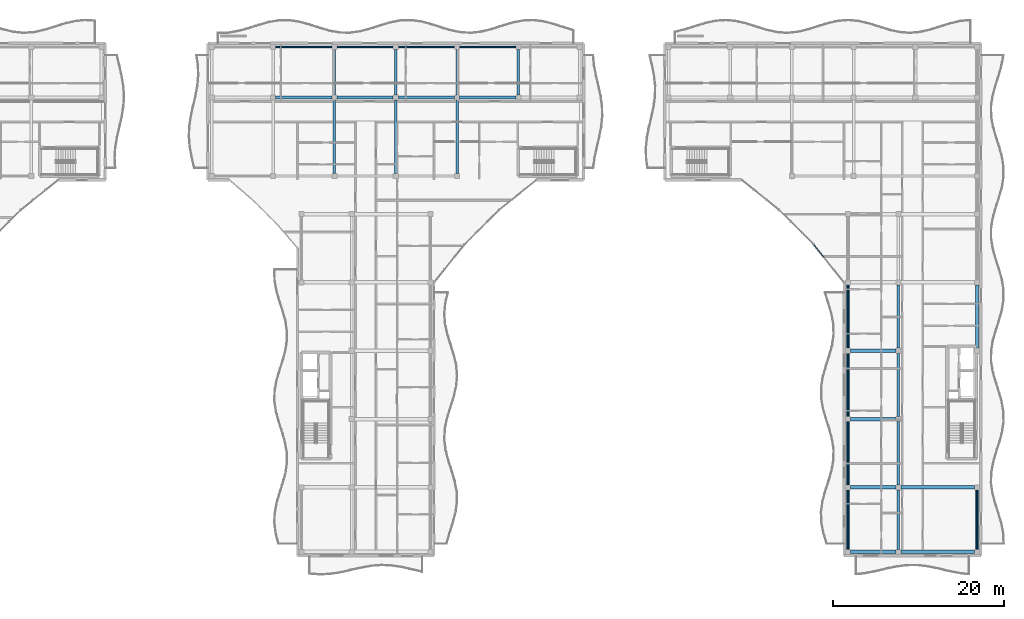
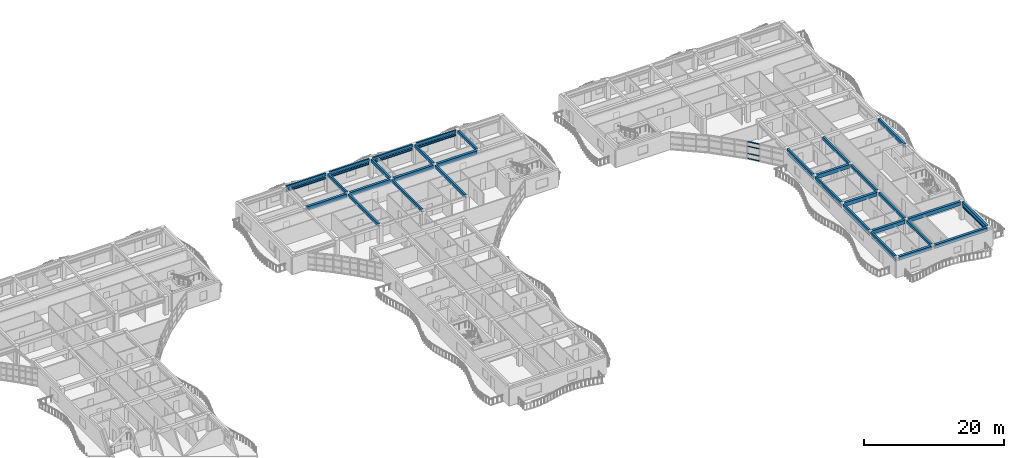
# One storey, part 17 of 72: 31 beams, 22 members, 1 element without a shape of its own.
"""IFC4 building model written with IfcOpenShell, lengths in metres."""

from ifc_helpers import new_model, si_unit, direction, frame, origin, origin_2d, place, context, subcontext, project, spatial, rectangle, hollow_rectangle, extrude, material, layer, layer_set, material_profile, profile_set, type_object, element, aggregate, save


model = new_model("IFC4")

# Units and contexts
model_context = context("Model", 3, precision=1e-05, world=origin(), true_north=direction((0.0, 1.0)))
body_context = subcontext(model_context, "Body", "Model", "MODEL_VIEW")
ifc_project = project(units=[si_unit("LENGTHUNIT", "METRE"), si_unit("AREAUNIT", "SQUARE_METRE"), si_unit("VOLUMEUNIT", "CUBIC_METRE"), si_unit("PLANEANGLEUNIT", "RADIAN"), si_unit("MASSUNIT", "GRAM", prefix="KILO")], contexts=[model_context])

# Site, building, storey
site_placement = place(None, origin())
site = spatial("IfcSite", under=ifc_project, at=site_placement, CompositionType="ELEMENT")
building_placement = place(site_placement, origin())
building = spatial("IfcBuilding", under=site, at=building_placement, Name="Keldmere Railside Commons", CompositionType="ELEMENT")
storey_placement = place(building_placement, frame((0.0, 0.0, 16.9599609375)))
storey = spatial("IfcBuildingStorey", under=building, at=storey_placement, Name="L05", CompositionType="ELEMENT", Elevation=16.9599609375)

# Members
ifc_material_1 = material(Name="Steel F-36 (S355)", Category="steel")
ifc_material_profile_1 = material_profile(ifc_material_1, hollow_rectangle(XDim=0.14990234375, YDim=0.25, WallThickness=0.010009765625, at=origin_2d()), Name="RHS-250x150x10")
ifc_profile_set_1 = profile_set([ifc_material_profile_1], Name="Steel F-36 (S355)")
member_type_1 = type_object("IfcMemberType", Name="Balcony Continuous Planted Trough RHS250x150", PredefinedType="CHORD", material=ifc_profile_set_1)
member_1_placement = place(storey_placement, frame((101.43310546875, 115.550048828125, 2.4150390625), z_axis=(1.0, 0.0, 0.0), x_axis=(0.0, 1.0, 0.0)))
element("IfcMember", 1, at=member_1_placement, inside=storey, type_object=member_type_1, Name="PLT-1 MEM-BPLT-0623", PredefinedType="CHORD", context=body_context, shape_type="SweptSolid", body=[
    extrude(hollow_rectangle(XDim=0.14990234375, YDim=0.25, WallThickness=0.010009765625, at=origin_2d()), origin(), (0.0, 0.0, 1.0), 6.583984375),
])
for number, where, z_axis, x_axis, name in (
    (2, (108.616943359375, 115.550048828125, 2.4150390625), (1.0, 0.0, 0.0), (0.0, 1.0, 0.0), "PLT-1 MEM-BPLT-0625"),
    (3, (115.800048828125, 115.550048828125, 2.4150390625), (1.0, 0.0, 0.0), (0.0, 1.0, 0.0), "PLT-1 MEM-BPLT-0627"),
):
    element("IfcMember", number, at=place(storey_placement, frame(where, z_axis=z_axis, x_axis=x_axis)), inside=storey, type_object=member_type_1, Name=name, PredefinedType="CHORD", context=body_context, shape_type="SweptSolid", body=[
        extrude(hollow_rectangle(XDim=0.14990234375, YDim=0.25, WallThickness=0.010009765625, at=origin_2d()), origin(), (0.0, 0.0, 1.0), 6.5830078125),
    ])
member_2_placement = place(storey_placement, frame((122.98291015625, 115.550048828125, 2.4150390625), z_axis=(1.0, 0.0, 0.0), x_axis=(0.0, 1.0, 0.0)))
element("IfcMember", 4, at=member_2_placement, inside=storey, type_object=member_type_1, Name="PLT-1 MEM-BPLT-0629", PredefinedType="CHORD", context=body_context, shape_type="SweptSolid", body=[
    extrude(hollow_rectangle(XDim=0.14990234375, YDim=0.25, WallThickness=0.010009765625, at=origin_2d()), origin(), (0.0, 0.0, 1.0), 6.583984375),
])
member_3_placement = place(storey_placement, frame((168.449951171875, 56.75, 2.4150390625), z_axis=(0.0, 1.0, 0.0), x_axis=(-1.0, 0.0, 0.0)))
element("IfcMember", 5, at=member_3_placement, inside=storey, type_object=member_type_1, Name="PLT-1 MEM-BPLT-0659", PredefinedType="CHORD", context=body_context, shape_type="SweptSolid", body=[
    extrude(hollow_rectangle(XDim=0.14990234375, YDim=0.25, WallThickness=0.010009765625, at=origin_2d()), origin(), (0.0, 0.0, 1.0), 6.949951171875),
])
for number, where, z_axis, x_axis, name in (
    (6, (168.449951171875, 64.300048828125, 2.4150390625), (0.0, 1.0, 0.0), (-1.0, 0.0, 0.0), "PLT-1 MEM-BPLT-0661"),
    (7, (168.449951171875, 72.300048828125, 2.4150390625), (0.0, 1.0, 0.0), (-1.0, 0.0, 0.0), "PLT-1 MEM-BPLT-0663"),
    (8, (168.449951171875, 80.300048828125, 2.4150390625), (0.0, 1.0, 0.0), (-1.0, 0.0, 0.0), "PLT-1 MEM-BPLT-0665"),
):
    element("IfcMember", number, at=place(storey_placement, frame(where, z_axis=z_axis, x_axis=x_axis)), inside=storey, type_object=member_type_1, Name=name, PredefinedType="CHORD", context=body_context, shape_type="SweptSolid", body=[
        extrude(hollow_rectangle(XDim=0.14990234375, YDim=0.25, WallThickness=0.010009765625, at=origin_2d()), origin(), (0.0, 0.0, 1.0), 7.39990234375),
    ])
member_4_placement = place(storey_placement, frame((183.550048828125, 56.75, 2.4150390625), z_axis=(0.0, 1.0, 0.0), x_axis=(-1.0, 0.0, 0.0)))
element("IfcMember", 9, at=member_4_placement, inside=storey, type_object=member_type_1, Name="PLT-1 MEM-BPLT-0669", PredefinedType="CHORD", context=body_context, shape_type="SweptSolid", body=[
    extrude(hollow_rectangle(XDim=0.14990234375, YDim=0.25, WallThickness=0.010009765625, at=origin_2d()), origin(), (0.0, 0.0, 1.0), 6.949951171875),
])

# Beams
ifc_material_2 = material(Name="Architectural Precast Concrete H-35 (C35/45)", Category="concrete")
ifc_material_profile_2 = material_profile(ifc_material_2, rectangle(XDim=0.25, YDim=0.449951171875, at=origin_2d()), Name="RC-250x450")
ifc_profile_set_2 = profile_set([ifc_material_profile_2], Name="Architectural Precast Concrete H-35 (C35/45)")
beam_type_1 = type_object("IfcBeamType", Name="Perimeter Precast Spandrel Beam 250x450", PredefinedType="SPANDREL", material=ifc_profile_set_2)
beam_1_placement = place(storey_placement, frame((101.43310546875, 115.550048828125, 2.97509765625), z_axis=(1.0, 0.0, 0.0), x_axis=(0.0, 1.0, 0.0)))
element("IfcBeam", 10, at=beam_1_placement, inside=storey, type_object=beam_type_1, Name="SPB-1 BM-L05-1766", PredefinedType="SPANDREL", context=body_context, shape_type="SweptSolid", body=[
    extrude(rectangle(XDim=0.25, YDim=0.449951171875, at=origin_2d()), origin(), (0.0, 0.0, 1.0), 6.583984375),
])
for number, where, z_axis, x_axis, name in (
    (11, (108.616943359375, 115.550048828125, 2.97509765625), (1.0, 0.0, 0.0), (0.0, 1.0, 0.0), "SPB-1 BM-L05-1767"),
    (12, (115.800048828125, 115.550048828125, 2.97509765625), (1.0, 0.0, 0.0), (0.0, 1.0, 0.0), "SPB-1 BM-L05-1768"),
):
    element("IfcBeam", number, at=place(storey_placement, frame(where, z_axis=z_axis, x_axis=x_axis)), inside=storey, type_object=beam_type_1, Name=name, PredefinedType="SPANDREL", context=body_context, shape_type="SweptSolid", body=[
        extrude(rectangle(XDim=0.25, YDim=0.449951171875, at=origin_2d()), origin(), (0.0, 0.0, 1.0), 6.5830078125),
    ])
beam_2_placement = place(storey_placement, frame((122.98291015625, 115.550048828125, 2.97509765625), z_axis=(1.0, 0.0, 0.0), x_axis=(0.0, 1.0, 0.0)))
element("IfcBeam", 13, at=beam_2_placement, inside=storey, type_object=beam_type_1, Name="SPB-1 BM-L05-1769", PredefinedType="SPANDREL", context=body_context, shape_type="SweptSolid", body=[
    extrude(rectangle(XDim=0.25, YDim=0.449951171875, at=origin_2d()), origin(), (0.0, 0.0, 1.0), 6.583984375),
])
ifc_material_3 = material(Name="Concrete H-30 (C30/37)", Category="concrete")
ifc_material_profile_3 = material_profile(ifc_material_3, rectangle(XDim=0.35009765625, YDim=0.60009765625, at=origin_2d()), Name="RC-350x600")
ifc_profile_set_3 = profile_set([ifc_material_profile_3], Name="Concrete H-30 (C30/37)")
beam_type_2 = type_object("IfcBeamType", Name="Residential Chord RC Beam 350x600", PredefinedType="BEAM", material=ifc_profile_set_3)
beam_3_placement = place(storey_placement, frame((183.550048828125, 56.75, 2.900146484375), z_axis=(0.0, 1.0, 0.0), x_axis=(-1.0, 0.0, 0.0)))
element("IfcBeam", 14, at=beam_3_placement, inside=storey, type_object=beam_type_2, Name="BG-4 BM-L05-1855", PredefinedType="BEAM", context=body_context, shape_type="SweptSolid", body=[
    extrude(rectangle(XDim=0.35009765625, YDim=0.60009765625, at=origin_2d()), origin(), (0.0, 0.0, 1.0), 6.949951171875),
])
beam_4_placement = place(storey_placement, frame((183.550048828125, 80.300048828125, 2.900146484375), z_axis=(0.0, 1.0, 0.0), x_axis=(-1.0, 0.0, 0.0)))
element("IfcBeam", 15, at=beam_4_placement, inside=storey, type_object=beam_type_2, Name="BG-4 BM-L05-1856", PredefinedType="BEAM", context=body_context, shape_type="SweptSolid", body=[
    extrude(rectangle(XDim=0.35009765625, YDim=0.60009765625, at=origin_2d()), origin(), (0.0, 0.0, 1.0), 7.39990234375),
])
ifc_material_profile_4 = material_profile(ifc_material_3, rectangle(XDim=0.39990234375, YDim=0.64990234375, at=origin_2d()), Name="RC-400x650")
ifc_profile_set_4 = profile_set([ifc_material_profile_4], Name="Concrete H-30 (C30/37)")
beam_type_3 = type_object("IfcBeamType", Name="Residential Spine RC Girder 400x650", PredefinedType="BEAM", material=ifc_profile_set_4)
beam_5_placement = place(storey_placement, frame((168.75, 56.449951171875, 2.875), z_axis=(1.0, 0.0, 0.0), x_axis=(0.0, 1.0, 0.0)))
element("IfcBeam", 16, at=beam_5_placement, inside=storey, type_object=beam_type_3, Name="BG-3 BM-L05-1694", PredefinedType="BEAM", context=body_context, shape_type="SweptSolid", body=[
    extrude(rectangle(XDim=0.39990234375, YDim=0.64990234375, at=origin_2d()), origin(), (0.0, 0.0, 1.0), 5.300048828125),
])
beam_6_placement = place(storey_placement, frame((174.64990234375, 56.449951171875, 2.875), z_axis=(1.0, 0.0, 0.0), x_axis=(0.0, 1.0, 0.0)))
element("IfcBeam", 17, at=beam_6_placement, inside=storey, type_object=beam_type_3, Name="BG-3 BM-L05-1695", PredefinedType="BEAM", context=body_context, shape_type="SweptSolid", body=[
    extrude(rectangle(XDim=0.39990234375, YDim=0.64990234375, at=origin_2d()), origin(), (0.0, 0.0, 1.0), 8.60009765625),
])
beam_7_placement = place(storey_placement, frame((168.75, 64.0, 2.875), z_axis=(1.0, 0.0, 0.0), x_axis=(0.0, 1.0, 0.0)))
element("IfcBeam", 18, at=beam_7_placement, inside=storey, type_object=beam_type_3, Name="BG-3 BM-L05-1702", PredefinedType="BEAM", context=body_context, shape_type="SweptSolid", body=[
    extrude(rectangle(XDim=0.39990234375, YDim=0.64990234375, at=origin_2d()), origin(), (0.0, 0.0, 1.0), 5.300048828125),
])
beam_8_placement = place(storey_placement, frame((174.64990234375, 64.0, 2.875), z_axis=(1.0, 0.0, 0.0), x_axis=(0.0, 1.0, 0.0)))
element("IfcBeam", 19, at=beam_8_placement, inside=storey, type_object=beam_type_3, Name="BG-3 BM-L05-1703", PredefinedType="BEAM", context=body_context, shape_type="SweptSolid", body=[
    extrude(rectangle(XDim=0.39990234375, YDim=0.64990234375, at=origin_2d()), origin(), (0.0, 0.0, 1.0), 8.60009765625),
])
for number, where, z_axis, x_axis, name in (
    (20, (168.75, 72.0, 2.875), (1.0, 0.0, 0.0), (0.0, 1.0, 0.0), "BG-3 BM-L05-1707"),
    (21, (168.75, 80.0, 2.875), (1.0, 0.0, 0.0), (0.0, 1.0, 0.0), "BG-3 BM-L05-1711"),
):
    element("IfcBeam", number, at=place(storey_placement, frame(where, z_axis=z_axis, x_axis=x_axis)), inside=storey, type_object=beam_type_3, Name=name, PredefinedType="BEAM", context=body_context, shape_type="SweptSolid", body=[
        extrude(rectangle(XDim=0.39990234375, YDim=0.64990234375, at=origin_2d()), origin(), (0.0, 0.0, 1.0), 5.300048828125),
    ])
beam_9_placement = place(storey_placement, frame((101.43310546875, 109.64990234375, 2.875), z_axis=(1.0, 0.0, 0.0), x_axis=(0.0, 1.0, 0.0)))
element("IfcBeam", 22, at=beam_9_placement, inside=storey, type_object=beam_type_3, Name="BG-3 BM-L05-1747", PredefinedType="BEAM", context=body_context, shape_type="SweptSolid", body=[
    extrude(rectangle(XDim=0.39990234375, YDim=0.64990234375, at=origin_2d()), origin(), (0.0, 0.0, 1.0), 6.583984375),
])
for number, where, z_axis, x_axis, name in (
    (23, (108.616943359375, 109.64990234375, 2.875), (1.0, 0.0, 0.0), (0.0, 1.0, 0.0), "BG-3 BM-L05-1748"),
    (24, (115.800048828125, 109.64990234375, 2.875), (1.0, 0.0, 0.0), (0.0, 1.0, 0.0), "BG-3 BM-L05-1749"),
):
    element("IfcBeam", number, at=place(storey_placement, frame(where, z_axis=z_axis, x_axis=x_axis)), inside=storey, type_object=beam_type_3, Name=name, PredefinedType="BEAM", context=body_context, shape_type="SweptSolid", body=[
        extrude(rectangle(XDim=0.39990234375, YDim=0.64990234375, at=origin_2d()), origin(), (0.0, 0.0, 1.0), 6.5830078125),
    ])
beam_10_placement = place(storey_placement, frame((122.98291015625, 109.64990234375, 2.875), z_axis=(1.0, 0.0, 0.0), x_axis=(0.0, 1.0, 0.0)))
element("IfcBeam", 25, at=beam_10_placement, inside=storey, type_object=beam_type_3, Name="BG-3 BM-L05-1750", PredefinedType="BEAM", context=body_context, shape_type="SweptSolid", body=[
    extrude(rectangle(XDim=0.39990234375, YDim=0.64990234375, at=origin_2d()), origin(), (0.0, 0.0, 1.0), 6.583984375),
])
ifc_material_profile_5 = material_profile(ifc_material_3, rectangle(XDim=0.300048828125, YDim=0.5, at=origin_2d()), Name="RC-300x500")
ifc_profile_set_5 = profile_set([ifc_material_profile_5], Name="Concrete H-30 (C30/37)")
beam_type_4 = type_object("IfcBeamType", Name="Secondary Frame RC Beam 300x500", PredefinedType="BEAM", material=ifc_profile_set_5)
beam_11_placement = place(storey_placement, frame((108.31689453125, 100.75, 2.949951171875), z_axis=(0.0, 1.0, 0.0), x_axis=(-1.0, 0.0, 0.0)))
element("IfcBeam", 26, at=beam_11_placement, inside=storey, type_object=beam_type_4, Name="BG-5 BM-L05-1820", PredefinedType="BEAM", context=body_context, shape_type="SweptSolid", body=[
    extrude(rectangle(XDim=0.300048828125, YDim=0.5, at=origin_2d()), origin(), (0.0, 0.0, 1.0), 8.60009765625),
])
beam_12_placement = place(storey_placement, frame((108.31689453125, 109.949951171875, 2.949951171875), z_axis=(0.0, 1.0, 0.0), x_axis=(-1.0, 0.0, 0.0)))
element("IfcBeam", 27, at=beam_12_placement, inside=storey, type_object=beam_type_4, Name="BG-5 BM-L05-1821", PredefinedType="BEAM", context=body_context, shape_type="SweptSolid", body=[
    extrude(rectangle(XDim=0.300048828125, YDim=0.5, at=origin_2d()), origin(), (0.0, 0.0, 1.0), 5.300048828125),
])
beam_13_placement = place(storey_placement, frame((115.5, 100.75, 2.949951171875), z_axis=(0.0, 1.0, 0.0), x_axis=(-1.0, 0.0, 0.0)))
element("IfcBeam", 28, at=beam_13_placement, inside=storey, type_object=beam_type_4, Name="BG-5 BM-L05-1827", PredefinedType="BEAM", context=body_context, shape_type="SweptSolid", body=[
    extrude(rectangle(XDim=0.300048828125, YDim=0.5, at=origin_2d()), origin(), (0.0, 0.0, 1.0), 8.60009765625),
])
beam_14_placement = place(storey_placement, frame((115.5, 109.949951171875, 2.949951171875), z_axis=(0.0, 1.0, 0.0), x_axis=(-1.0, 0.0, 0.0)))
element("IfcBeam", 29, at=beam_14_placement, inside=storey, type_object=beam_type_4, Name="BG-5 BM-L05-1828", PredefinedType="BEAM", context=body_context, shape_type="SweptSolid", body=[
    extrude(rectangle(XDim=0.300048828125, YDim=0.5, at=origin_2d()), origin(), (0.0, 0.0, 1.0), 5.300048828125),
])
beam_15_placement = place(storey_placement, frame((122.68310546875, 100.75, 2.949951171875), z_axis=(0.0, 1.0, 0.0), x_axis=(-1.0, 0.0, 0.0)))
element("IfcBeam", 30, at=beam_15_placement, inside=storey, type_object=beam_type_4, Name="BG-5 BM-L05-1834", PredefinedType="BEAM", context=body_context, shape_type="SweptSolid", body=[
    extrude(rectangle(XDim=0.300048828125, YDim=0.5, at=origin_2d()), origin(), (0.0, 0.0, 1.0), 8.60009765625),
])
for number, where, z_axis, x_axis, name in (
    (31, (122.68310546875, 109.949951171875, 2.949951171875), (0.0, 1.0, 0.0), (-1.0, 0.0, 0.0), "BG-5 BM-L05-1835"),
    (32, (129.866943359375, 109.949951171875, 2.949951171875), (0.0, 1.0, 0.0), (-1.0, 0.0, 0.0), "BG-5 BM-L05-1836"),
):
    element("IfcBeam", number, at=place(storey_placement, frame(where, z_axis=z_axis, x_axis=x_axis)), inside=storey, type_object=beam_type_4, Name=name, PredefinedType="BEAM", context=body_context, shape_type="SweptSolid", body=[
        extrude(rectangle(XDim=0.300048828125, YDim=0.5, at=origin_2d()), origin(), (0.0, 0.0, 1.0), 5.300048828125),
    ])
beam_16_placement = place(storey_placement, frame((168.449951171875, 56.75, 2.949951171875), z_axis=(0.0, 1.0, 0.0), x_axis=(-1.0, 0.0, 0.0)))
element("IfcBeam", 33, at=beam_16_placement, inside=storey, type_object=beam_type_4, Name="BG-5 BM-L05-1842", PredefinedType="BEAM", context=body_context, shape_type="SweptSolid", body=[
    extrude(rectangle(XDim=0.300048828125, YDim=0.5, at=origin_2d()), origin(), (0.0, 0.0, 1.0), 6.949951171875),
])
for number, where, z_axis, x_axis, name in (
    (34, (168.449951171875, 64.300048828125, 2.949951171875), (0.0, 1.0, 0.0), (-1.0, 0.0, 0.0), "BG-5 BM-L05-1843"),
    (35, (168.449951171875, 72.300048828125, 2.949951171875), (0.0, 1.0, 0.0), (-1.0, 0.0, 0.0), "BG-5 BM-L05-1844"),
    (36, (168.449951171875, 80.300048828125, 2.949951171875), (0.0, 1.0, 0.0), (-1.0, 0.0, 0.0), "BG-5 BM-L05-1845"),
):
    element("IfcBeam", number, at=place(storey_placement, frame(where, z_axis=z_axis, x_axis=x_axis)), inside=storey, type_object=beam_type_4, Name=name, PredefinedType="BEAM", context=body_context, shape_type="SweptSolid", body=[
        extrude(rectangle(XDim=0.300048828125, YDim=0.5, at=origin_2d()), origin(), (0.0, 0.0, 1.0), 7.39990234375),
    ])
beam_17_placement = place(storey_placement, frame((174.35009765625, 56.75, 2.949951171875), z_axis=(0.0, 1.0, 0.0), x_axis=(-1.0, 0.0, 0.0)))
element("IfcBeam", 37, at=beam_17_placement, inside=storey, type_object=beam_type_4, Name="BG-5 BM-L05-1849", PredefinedType="BEAM", context=body_context, shape_type="SweptSolid", body=[
    extrude(rectangle(XDim=0.300048828125, YDim=0.5, at=origin_2d()), origin(), (0.0, 0.0, 1.0), 6.949951171875),
])
for number, where, z_axis, x_axis, name in (
    (38, (174.35009765625, 64.300048828125, 2.949951171875), (0.0, 1.0, 0.0), (-1.0, 0.0, 0.0), "BG-5 BM-L05-1850"),
    (39, (174.35009765625, 72.300048828125, 2.949951171875), (0.0, 1.0, 0.0), (-1.0, 0.0, 0.0), "BG-5 BM-L05-1851"),
    (40, (174.35009765625, 80.300048828125, 2.949951171875), (0.0, 1.0, 0.0), (-1.0, 0.0, 0.0), "BG-5 BM-L05-1852"),
):
    element("IfcBeam", number, at=place(storey_placement, frame(where, z_axis=z_axis, x_axis=x_axis)), inside=storey, type_object=beam_type_4, Name=name, PredefinedType="BEAM", context=body_context, shape_type="SweptSolid", body=[
        extrude(rectangle(XDim=0.300048828125, YDim=0.5, at=origin_2d()), origin(), (0.0, 0.0, 1.0), 7.39990234375),
    ])

# Members
ifc_material_profile_6 = material_profile(ifc_material_1, hollow_rectangle(XDim=0.10009765625, YDim=0.159912109375, WallThickness=0.008056640625, at=origin_2d()), Name="RHS-160x100x8")
ifc_profile_set_6 = profile_set([ifc_material_profile_6], Name="Steel F-36 (S355)")
member_type_2 = type_object("IfcMemberType", Name="Solar Brise-Soleil Louvre Fin RHS160x100", PredefinedType="STRUT", material=ifc_profile_set_6)
member_5_placement = place(storey_placement, frame((101.43310546875, 115.550048828125, 2.199951171875), z_axis=(1.0, 0.0, 0.0), x_axis=(0.0, 1.0, 0.0)))
element("IfcMember", 41, at=member_5_placement, inside=storey, type_object=member_type_2, Name="BSF-1 MEM-BSF-0624", PredefinedType="STRUT", context=body_context, shape_type="SweptSolid", body=[
    extrude(hollow_rectangle(XDim=0.10009765625, YDim=0.159912109375, WallThickness=0.008056640625, at=origin_2d()), origin(), (0.0, 0.0, 1.0), 6.583984375),
])
for number, where, z_axis, x_axis, name in (
    (42, (108.616943359375, 115.550048828125, 2.199951171875), (1.0, 0.0, 0.0), (0.0, 1.0, 0.0), "BSF-1 MEM-BSF-0626"),
    (43, (115.800048828125, 115.550048828125, 2.199951171875), (1.0, 0.0, 0.0), (0.0, 1.0, 0.0), "BSF-1 MEM-BSF-0628"),
):
    element("IfcMember", number, at=place(storey_placement, frame(where, z_axis=z_axis, x_axis=x_axis)), inside=storey, type_object=member_type_2, Name=name, PredefinedType="STRUT", context=body_context, shape_type="SweptSolid", body=[
        extrude(hollow_rectangle(XDim=0.10009765625, YDim=0.159912109375, WallThickness=0.008056640625, at=origin_2d()), origin(), (0.0, 0.0, 1.0), 6.5830078125),
    ])
member_6_placement = place(storey_placement, frame((122.98291015625, 115.550048828125, 2.199951171875), z_axis=(1.0, 0.0, 0.0), x_axis=(0.0, 1.0, 0.0)))
element("IfcMember", 44, at=member_6_placement, inside=storey, type_object=member_type_2, Name="BSF-1 MEM-BSF-0630", PredefinedType="STRUT", context=body_context, shape_type="SweptSolid", body=[
    extrude(hollow_rectangle(XDim=0.10009765625, YDim=0.159912109375, WallThickness=0.008056640625, at=origin_2d()), origin(), (0.0, 0.0, 1.0), 6.583984375),
])
member_7_placement = place(storey_placement, frame((168.449951171875, 56.75, 2.199951171875), z_axis=(0.0, 1.0, 0.0), x_axis=(-1.0, 0.0, 0.0)))
element("IfcMember", 45, at=member_7_placement, inside=storey, type_object=member_type_2, Name="BSF-1 MEM-BSF-0660", PredefinedType="STRUT", context=body_context, shape_type="SweptSolid", body=[
    extrude(hollow_rectangle(XDim=0.10009765625, YDim=0.159912109375, WallThickness=0.008056640625, at=origin_2d()), origin(), (0.0, 0.0, 1.0), 6.949951171875),
])
for number, where, z_axis, x_axis, name in (
    (46, (168.449951171875, 64.300048828125, 2.199951171875), (0.0, 1.0, 0.0), (-1.0, 0.0, 0.0), "BSF-1 MEM-BSF-0662"),
    (47, (168.449951171875, 72.300048828125, 2.199951171875), (0.0, 1.0, 0.0), (-1.0, 0.0, 0.0), "BSF-1 MEM-BSF-0664"),
    (48, (168.449951171875, 80.300048828125, 2.199951171875), (0.0, 1.0, 0.0), (-1.0, 0.0, 0.0), "BSF-1 MEM-BSF-0666"),
):
    element("IfcMember", number, at=place(storey_placement, frame(where, z_axis=z_axis, x_axis=x_axis)), inside=storey, type_object=member_type_2, Name=name, PredefinedType="STRUT", context=body_context, shape_type="SweptSolid", body=[
        extrude(hollow_rectangle(XDim=0.10009765625, YDim=0.159912109375, WallThickness=0.008056640625, at=origin_2d()), origin(), (0.0, 0.0, 1.0), 7.39990234375),
    ])
member_8_placement = place(storey_placement, frame((183.550048828125, 56.75, 2.199951171875), z_axis=(0.0, 1.0, 0.0), x_axis=(-1.0, 0.0, 0.0)))
element("IfcMember", 49, at=member_8_placement, inside=storey, type_object=member_type_2, Name="BSF-1 MEM-BSF-0670", PredefinedType="STRUT", context=body_context, shape_type="SweptSolid", body=[
    extrude(hollow_rectangle(XDim=0.10009765625, YDim=0.159912109375, WallThickness=0.008056640625, at=origin_2d()), origin(), (0.0, 0.0, 1.0), 6.949951171875),
])

# Curtain wall, members
ifc_material_4 = material(Name="Thermally Broken Aluminium", Category="aluminium")
ifc_layer = layer(ifc_material_4, 0.159912109375, Name="Court Chord Wintergarden CW 5400x2850")
ifc_layer_set = layer_set([ifc_layer], Name="Thermally Broken Aluminium")
curtain_wall_type = type_object("IfcCurtainWallType", Name="Court Chord Wintergarden CW 5400x2850", PredefinedType="NOTDEFINED", material=ifc_layer_set)
curtain_wall_placement = place(storey_placement, origin())
curtain_wall = element("IfcCurtainWall", 50, at=curtain_wall_placement, inside=storey, type_object=curtain_wall_type, Name="CW-13 CW-L05-174", PredefinedType="NOTDEFINED")
ifc_material_profile_7 = material_profile(ifc_material_4, hollow_rectangle(XDim=0.06494140625, YDim=0.1201171875, WallThickness=0.00390625, at=origin_2d()), Name="ALU-TRAN-65x120")
ifc_profile_set_7 = profile_set([ifc_material_profile_7], Name="Thermally Broken Aluminium")
member_type_3 = type_object("IfcMemberType", Name="Unitised Curtain Wall Transom 65x120", PredefinedType="USERDEFINED", material=ifc_profile_set_7)
member_9_placement = place(storey_placement, frame((165.6103515625, 90.978759765625, 0.032470703125), z_axis=(-0.625805275091, 0.779979331565, 0.0), x_axis=(-0.779979331565, -0.625805275091, 0.0)))
member_9 = element("IfcMember", 51, at=member_9_placement, type_object=member_type_3, Name="CW-13 transom 3.1", ObjectType="TRANSOM", PredefinedType="USERDEFINED", context=body_context, shape_type="SweptSolid", body=[
    extrude(hollow_rectangle(XDim=0.06494140625, YDim=0.1201171875, WallThickness=0.00390625, at=origin_2d()), origin(), (0.0, 0.0, 1.0), 1.795654296875),
])
member_10_placement = place(storey_placement, frame((165.6103515625, 90.978759765625, 0.900146484375), z_axis=(-0.625805275091, 0.779979331565, 0.0), x_axis=(-0.779979331565, -0.625805275091, 0.0)))
member_10 = element("IfcMember", 52, at=member_10_placement, type_object=member_type_3, Name="CW-13 transom 3.2", ObjectType="TRANSOM", PredefinedType="USERDEFINED", context=body_context, shape_type="SweptSolid", body=[
    extrude(hollow_rectangle(XDim=0.06494140625, YDim=0.1201171875, WallThickness=0.00390625, at=origin_2d()), origin(), (0.0, 0.0, 1.0), 1.795654296875),
])
member_11_placement = place(storey_placement, frame((165.6103515625, 90.978759765625, 2.150146484375), z_axis=(-0.625805275091, 0.779979331565, 0.0), x_axis=(-0.779979331565, -0.625805275091, 0.0)))
member_11 = element("IfcMember", 53, at=member_11_placement, type_object=member_type_3, Name="CW-13 transom 3.3", ObjectType="TRANSOM", PredefinedType="USERDEFINED", context=body_context, shape_type="SweptSolid", body=[
    extrude(hollow_rectangle(XDim=0.06494140625, YDim=0.1201171875, WallThickness=0.00390625, at=origin_2d()), origin(), (0.0, 0.0, 1.0), 1.795654296875),
])
member_12_placement = place(storey_placement, frame((165.6103515625, 90.978759765625, 2.947509765625), z_axis=(-0.625805275091, 0.779979331565, 0.0), x_axis=(-0.779979331565, -0.625805275091, 0.0)))
member_12 = element("IfcMember", 54, at=member_12_placement, type_object=member_type_3, Name="CW-13 transom 3.4", ObjectType="TRANSOM", PredefinedType="USERDEFINED", context=body_context, shape_type="SweptSolid", body=[
    extrude(hollow_rectangle(XDim=0.06494140625, YDim=0.1201171875, WallThickness=0.00390625, at=origin_2d()), origin(), (0.0, 0.0, 1.0), 1.795654296875),
])
aggregate(curtain_wall, [member_9, member_10, member_11, member_12])

save(model, "model.ifc")
